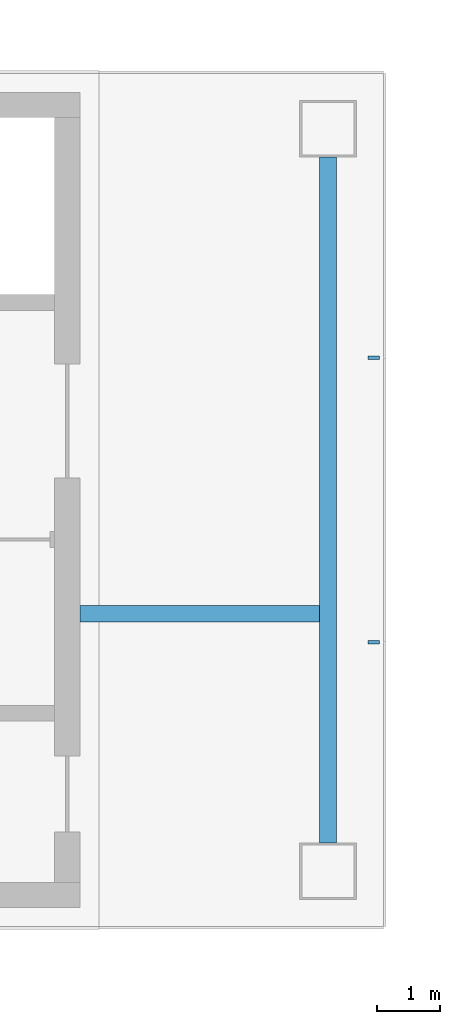
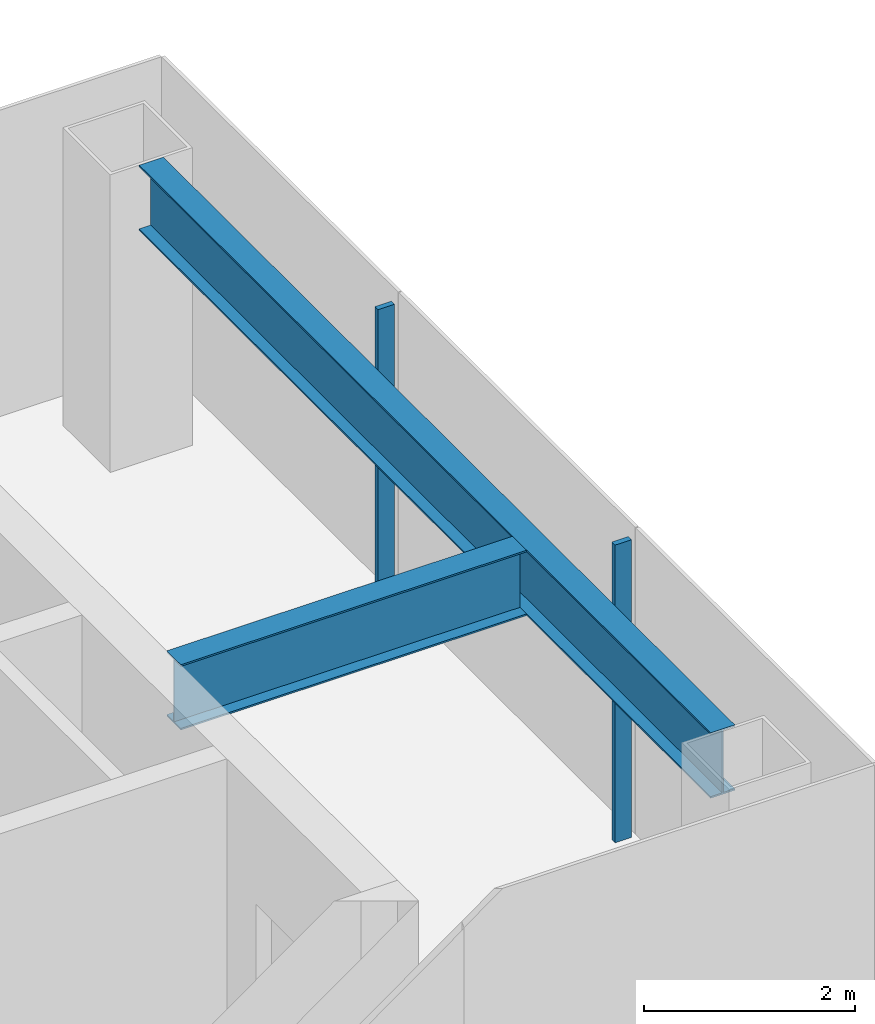
# One storey, part 4 of 15: 2 beams, 2 members, 1 element without a shape of its own.
"""IFC4 building model written with IfcOpenShell, lengths in metres."""

from ifc_helpers import new_model, si_unit, direction, frame, origin, origin_2d, place, context, subcontext, project, spatial, rectangle, i_section, extrude, material, layer, layer_set, material_profile, profile_set, type_object, element, aggregate, save


model = new_model("IFC4")

# Units and contexts
model_context = context("Model", 3, precision=1e-05, world=origin(), true_north=direction((0.0, 1.0)))
body_context = subcontext(model_context, "Body", "Model", "MODEL_VIEW")
ifc_project = project(units=[si_unit("LENGTHUNIT", "METRE"), si_unit("AREAUNIT", "SQUARE_METRE"), si_unit("VOLUMEUNIT", "CUBIC_METRE"), si_unit("PLANEANGLEUNIT", "RADIAN"), si_unit("MASSUNIT", "GRAM", prefix="KILO")], contexts=[model_context])

# Site, building, storey
site_placement = place(None, origin())
site = spatial("IfcSite", under=ifc_project, at=site_placement, CompositionType="ELEMENT")
building_placement = place(site_placement, origin())
building = spatial("IfcBuilding", under=site, at=building_placement, Name="Shamsa Quay Exchange Towers", CompositionType="ELEMENT")
storey_placement = place(building_placement, frame((0.0, 0.0, 269.39990234375)))
storey = spatial("IfcBuildingStorey", under=building, at=storey_placement, Name="L65", CompositionType="ELEMENT", Elevation=269.39990234375)

# Curtain wall, members
ifc_material_1 = material(Name="Aluminium EN AW-6063 T6, black anodised", Category="aluminium")
ifc_layer = layer(ifc_material_1, 0.280029296875)
ifc_layer_set = layer_set([ifc_layer], Name="CW-1 UNITISED VISION GLASS")
curtain_wall_type = type_object("IfcCurtainWallType", Name="CW-1 UNITISED VISION GLASS", PredefinedType="NOTDEFINED", material=ifc_layer_set)
curtain_wall_placement = place(storey_placement, origin())
curtain_wall = element("IfcCurtainWall", 1, at=curtain_wall_placement, inside=storey, type_object=curtain_wall_type, Name="CW1 T1-END-U+ L65", PredefinedType="NOTDEFINED")
ifc_material_profile_1 = material_profile(ifc_material_1, rectangle(XDim=0.179931640625, YDim=0.06005859375, at=origin_2d()), Name="MU60x180")
ifc_profile_set_1 = profile_set([ifc_material_profile_1], Name="Aluminium EN AW-6063 T6, black anodised")
member_type = type_object("IfcMemberType", Name="CW1 MULLION 60x180", PredefinedType="MULLION", material=ifc_profile_set_1)
member_1_placement = place(storey_placement, frame((-9.14990234375, -2.25, 0.0), z_axis=(0.0, 0.0, 1.0), x_axis=(-1.0, 0.0, 0.0)))
member_1 = element("IfcMember", 2, at=member_1_placement, type_object=member_type, Name="CW1 mullion", PredefinedType="MULLION", context=body_context, shape_type="SweptSolid", body=[
    extrude(rectangle(XDim=0.179931640625, YDim=0.06005859375, at=origin_2d()), origin(), (0.0, 0.0, 1.0), 3.4501953125),
])
member_2_placement = place(storey_placement, frame((-9.14990234375, 2.25, 0.0), z_axis=(0.0, 0.0, 1.0), x_axis=(-1.0, 0.0, 0.0)))
member_2 = element("IfcMember", 3, at=member_2_placement, type_object=member_type, Name="CW1 mullion", PredefinedType="MULLION", context=body_context, shape_type="SweptSolid", body=[
    extrude(rectangle(XDim=0.179931640625, YDim=0.06005859375, at=origin_2d()), origin(), (0.0, 0.0, 1.0), 3.4501953125),
])
aggregate(curtain_wall, [member_1, member_2])

# Beams
ifc_material_2 = material(Name="Steel S355", Category="steel")
ifc_material_profile_2 = material_profile(ifc_material_2, i_section(OverallWidth=0.26611328125, OverallDepth=0.7578125, WebThickness=0.013916015625, FlangeThickness=0.019287109375, at=origin_2d()), Name="W30x108")
ifc_profile_set_2 = profile_set([ifc_material_profile_2], Name="Steel S355")
beam_type = type_object("IfcBeamType", Name="End-zone beam W30x108", PredefinedType="BEAM", material=ifc_profile_set_2)
beam_1_placement = place(storey_placement, frame((-9.875, -5.425048828125, 3.0712890625), z_axis=(0.0, 1.0, 0.0), x_axis=(-1.0, 0.0, 0.0)))
element("IfcBeam", 4, at=beam_1_placement, inside=storey, type_object=beam_type, Name="End beam T1 U+ end zone L65", PredefinedType="BEAM", context=body_context, shape_type="SweptSolid", body=[
    extrude(i_section(OverallWidth=0.26611328125, OverallDepth=0.7578125, WebThickness=0.013916015625, FlangeThickness=0.019287109375, at=origin_2d()), origin(), (0.0, 0.0, 1.0), 10.85009765625),
])
beam_2_placement = place(storey_placement, frame((-13.800048828125, -1.800048828125, 3.0712890625), z_axis=(1.0, 0.0, 0.0), x_axis=(0.0, 1.0, 0.0)))
element("IfcBeam", 5, at=beam_2_placement, inside=storey, type_object=beam_type, Name="Spine beam T1 U+ end zone L65", PredefinedType="BEAM", context=body_context, shape_type="SweptSolid", body=[
    extrude(i_section(OverallWidth=0.26611328125, OverallDepth=0.7578125, WebThickness=0.013916015625, FlangeThickness=0.019287109375, at=origin_2d()), origin(), (0.0, 0.0, 1.0), 3.7919921875),
])

save(model, "model.ifc")
